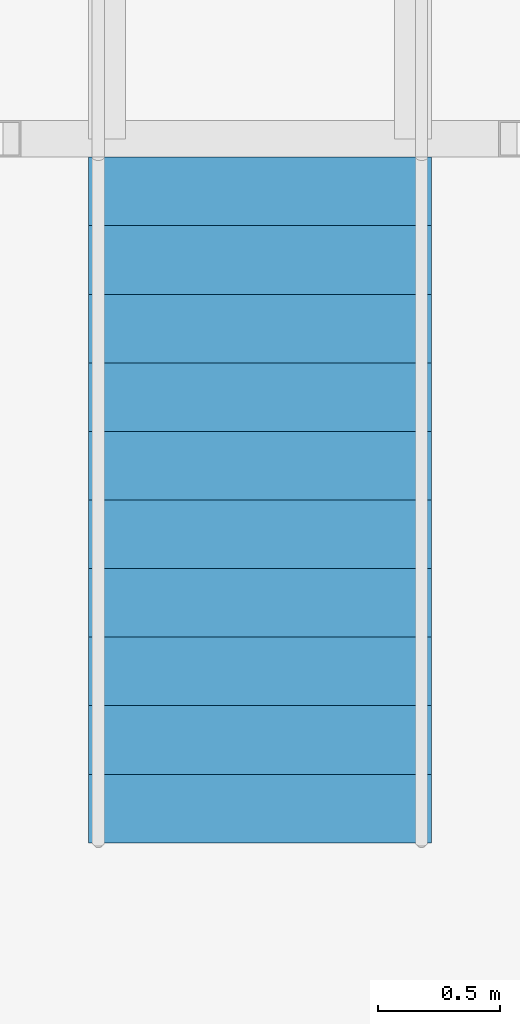
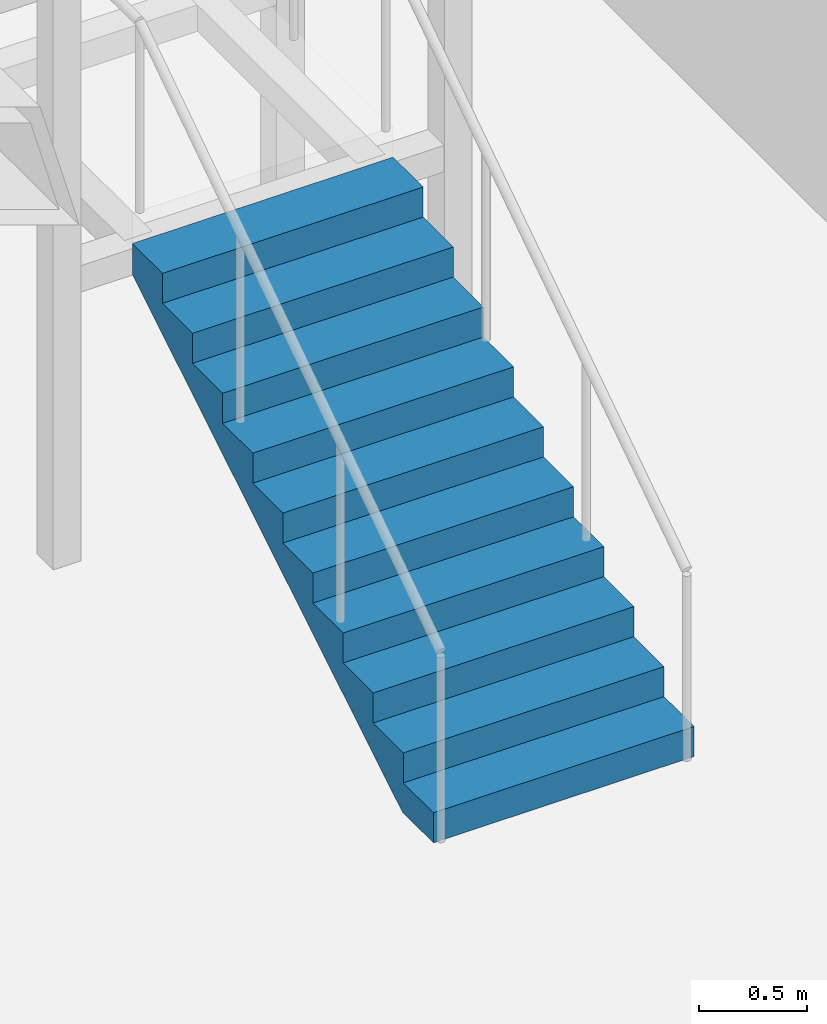
# One storey, part 24 of 26: 1 stair flight, 1 element without a shape of its own.
"""IFC4 building model written with IfcOpenShell, lengths in metres."""

from ifc_helpers import new_model, si_unit, direction, frame, origin, place, context, subcontext, project, spatial, triangles, material, type_object, element, aggregate, save


model = new_model("IFC4")

# Units and contexts
model_context = context("Model", 3, precision=1e-05, world=origin(), true_north=direction((0.0, 1.0)))
body_context = subcontext(model_context, "Body", "Model", "MODEL_VIEW")
ifc_project = project(units=[si_unit("LENGTHUNIT", "METRE"), si_unit("AREAUNIT", "SQUARE_METRE"), si_unit("VOLUMEUNIT", "CUBIC_METRE"), si_unit("PLANEANGLEUNIT", "RADIAN"), si_unit("MASSUNIT", "GRAM", prefix="KILO")], contexts=[model_context])

# Site, building, storey
site_placement = place(None, origin())
site = spatial("IfcSite", under=ifc_project, at=site_placement, CompositionType="ELEMENT")
building_placement = place(site_placement, origin())
building = spatial("IfcBuilding", under=site, at=building_placement, Name="Orbita Commons", CompositionType="ELEMENT")
storey_placement = place(building_placement, frame((0.0, 0.0, 53.949951171875)))
storey = spatial("IfcBuildingStorey", under=building, at=storey_placement, Name="L13", CompositionType="ELEMENT", Elevation=53.949951171875)

# Stair, stair flight
ifc_material_1 = material(Name="Steel ASTM A992 stringers, precast concrete C40/50 terrazzo treads", Category="concrete")
stair_type = type_object("IfcStairType", Name="Feature stair 22 risers 170 x 280 x 1400", PredefinedType="STRAIGHT_RUN_STAIR", material=ifc_material_1)
stair_placement = place(storey_placement, origin())
stair = element("IfcStair", 1, at=stair_placement, inside=storey, type_object=stair_type, Name="Neighbourhood stair L13 to L14", PredefinedType="STRAIGHT_RUN_STAIR")
ifc_material_2 = material(Name="Steel ASTM A992 stringers, precast concrete C40/50 terrazzo treads", Category="concrete")
stair_flight_type = type_object("IfcStairFlightType", Name="Feature stair flight 11 risers 170 x 1400", PredefinedType="STRAIGHT", material=ifc_material_2)
stair_flight_placement = place(storey_placement, frame((8.10009765625, 43.5, 0.0), z_axis=(0.0, 0.0, 1.0), x_axis=(0.0, 1.0, 0.0)))
stair_flight = element("IfcStairFlight", 2, at=stair_flight_placement, type_object=stair_flight_type, Name="FS flight 1", NumberOfRisers=11, NumberOfTreads=10, PredefinedType="STRAIGHT", RiserHeight=0.170454545, TreadLength=0.28, context=body_context, shape_type="Tessellation", body=[
    triangles([(0.0, 0.699951, 0.0), (0.0, 0.699951, 0.021307), (0.0, 0.583293, 0.021307), (0.0, 0.583293, 0.0), (0.0, 0.466634, 0.021307), (0.0, 0.466634, 0.0), (0.0, 0.349976, 0.021307), (0.0, 0.349976, 0.0), (0.0, 0.233317, 0.021307), (0.0, 0.233317, 0.0), (0.0, 0.116659, 0.021307), (0.0, 0.116659, 0.0), (0.0, 0.0, 0.021307), (0.0, 0.0, 0.0), (0.0, -0.116659, 0.021307), (0.0, -0.116659, 0.0), (0.0, -0.233317, 0.021307), (0.0, -0.233317, 0.0), (0.0, -0.349976, 0.021307), (0.0, -0.349976, 0.0), (0.0, -0.466634, 0.021307), (0.0, -0.466634, 0.0), (0.0, -0.583293, 0.021307), (0.0, -0.583293, 0.0), (0.0, -0.699951, 0.021307), (0.0, -0.699951, 0.0), (0.0, 0.699951, 0.042614), (0.0, 0.583293, 0.042614), (0.0, 0.466634, 0.042614), (0.0, 0.349976, 0.042614), (0.0, 0.233317, 0.042614), (0.0, 0.116659, 0.042614), (0.0, 0.0, 0.042614), (0.0, -0.116659, 0.042614), (0.0, -0.233317, 0.042614), (0.0, -0.349976, 0.042614), (0.0, -0.466634, 0.042614), (0.0, -0.583293, 0.042614), (0.0, -0.699951, 0.042614), (0.0, 0.699951, 0.06392), (0.0, 0.583293, 0.06392), (0.0, 0.466634, 0.06392), (0.0, 0.349976, 0.06392), (0.0, 0.233317, 0.06392), (0.0, 0.116659, 0.06392), (0.0, 0.0, 0.06392), (0.0, -0.116659, 0.06392), (0.0, -0.233317, 0.06392), (0.0, -0.349976, 0.06392), (0.0, -0.466634, 0.06392), (0.0, -0.583293, 0.06392), (0.0, -0.699951, 0.06392), (0.0, 0.699951, 0.085227), (0.0, 0.583293, 0.085227), (0.0, 0.466634, 0.085227), (0.0, 0.349976, 0.085227), (0.0, 0.233317, 0.085227), (0.0, 0.116659, 0.085227), (0.0, 0.0, 0.085227), (0.0, -0.116659, 0.085227), (0.0, -0.233317, 0.085227), (0.0, -0.349976, 0.085227), (0.0, -0.466634, 0.085227), (0.0, -0.583293, 0.085227), (0.0, -0.699951, 0.085227), (0.0, 0.699951, 0.106534), (0.0, 0.583293, 0.106534), (0.0, 0.466634, 0.106534), (0.0, 0.349976, 0.106534), (0.0, 0.233317, 0.106534), (0.0, 0.116659, 0.106534), (0.0, 0.0, 0.106534), (0.0, -0.116659, 0.106534), (0.0, -0.233317, 0.106534), (0.0, -0.349976, 0.106534), (0.0, -0.466634, 0.106534), (0.0, -0.583293, 0.106534), (0.0, -0.699951, 0.106534), (0.0, 0.699951, 0.127841), (0.0, 0.583293, 0.127841), (0.0, 0.466634, 0.127841), (0.0, 0.349976, 0.127841), (0.0, 0.233317, 0.127841), (0.0, 0.116659, 0.127841), (0.0, 0.0, 0.127841), (0.0, -0.116659, 0.127841), (0.0, -0.233317, 0.127841), (0.0, -0.349976, 0.127841), (0.0, -0.466634, 0.127841), (0.0, -0.583293, 0.127841), (0.0, -0.699951, 0.127841), (0.0, 0.699951, 0.149148), (0.0, 0.583293, 0.149148), (0.0, 0.466634, 0.149148), (0.0, 0.349976, 0.149148), (0.0, 0.233317, 0.149148), (0.0, 0.116659, 0.149148), (0.0, 0.0, 0.149148), (0.0, -0.116659, 0.149148), (0.0, -0.233317, 0.149148), (0.0, -0.349976, 0.149148), (0.0, -0.466634, 0.149148), (0.0, -0.583293, 0.149148), (0.0, -0.699951, 0.149148), (0.0, 0.699951, 0.170455), (0.0, 0.583293, 0.170455), (0.0, 0.466634, 0.170455), (0.0, 0.349976, 0.170455), (0.0, 0.233317, 0.170455), (0.0, 0.116659, 0.170455), (0.0, 0.0, 0.170455), (0.0, -0.116659, 0.170455), (0.0, -0.233317, 0.170455), (0.0, -0.349976, 0.170455), (0.0, -0.466634, 0.170455), (0.0, -0.583293, 0.170455), (0.0, -0.699951, 0.170455), (0.28, 0.699951, 0.170455), (0.28, 0.583293, 0.170455), (0.28, 0.466634, 0.170455), (0.28, 0.349976, 0.170455), (0.28, 0.233317, 0.170455), (0.28, 0.116659, 0.170455), (0.28, 0.0, 0.170455), (0.28, -0.116659, 0.170455), (0.28, -0.233317, 0.170455), (0.28, -0.349976, 0.170455), (0.28, -0.466634, 0.170455), (0.28, -0.583293, 0.170455), (0.28, -0.699951, 0.170455), (0.28, 0.699951, 0.340909), (0.28, 0.583293, 0.340909), (0.28, 0.466634, 0.340909), (0.28, 0.349976, 0.340909), (0.28, 0.233317, 0.340909), (0.28, 0.116659, 0.340909), (0.28, 0.0, 0.340909), (0.28, -0.116659, 0.340909), (0.28, -0.233317, 0.340909), (0.28, -0.349976, 0.340909), (0.28, -0.466634, 0.340909), (0.28, -0.583293, 0.340909), (0.28, -0.699951, 0.340909), (0.56, 0.699951, 0.340909), (0.56, 0.583293, 0.340909), (0.56, 0.466634, 0.340909), (0.56, 0.349976, 0.340909), (0.56, 0.233317, 0.340909), (0.56, 0.116659, 0.340909), (0.56, 0.0, 0.340909), (0.56, -0.116659, 0.340909), (0.56, -0.233317, 0.340909), (0.56, -0.349976, 0.340909), (0.56, -0.466634, 0.340909), (0.56, -0.583293, 0.340909), (0.56, -0.699951, 0.340909), (0.56, 0.699951, 0.511364), (0.56, 0.583293, 0.511364), (0.56, 0.466634, 0.511364), (0.56, 0.349976, 0.511364), (0.56, 0.233317, 0.511364), (0.56, 0.116659, 0.511364), (0.56, 0.0, 0.511364), (0.56, -0.116659, 0.511364), (0.56, -0.233317, 0.511364), (0.56, -0.349976, 0.511364), (0.56, -0.466634, 0.511364), (0.56, -0.583293, 0.511364), (0.56, -0.699951, 0.511364), (0.84, 0.699951, 0.511364), (0.84, 0.583293, 0.511364), (0.84, 0.466634, 0.511364), (0.84, 0.349976, 0.511364), (0.84, 0.233317, 0.511364), (0.84, 0.116659, 0.511364), (0.84, 0.0, 0.511364), (0.84, -0.116659, 0.511364), (0.84, -0.233317, 0.511364), (0.84, -0.349976, 0.511364), (0.84, -0.466634, 0.511364), (0.84, -0.583293, 0.511364), (0.84, -0.699951, 0.511364), (0.84, 0.699951, 0.681818), (0.84, 0.583293, 0.681818), (0.84, 0.466634, 0.681818), (0.84, 0.349976, 0.681818), (0.84, 0.233317, 0.681818), (0.84, 0.116659, 0.681818), (0.84, 0.0, 0.681818), (0.84, -0.116659, 0.681818), (0.84, -0.233317, 0.681818), (0.84, -0.349976, 0.681818), (0.84, -0.466634, 0.681818), (0.84, -0.583293, 0.681818), (0.84, -0.699951, 0.681818), (1.12, 0.699951, 0.681818), (1.12, 0.583293, 0.681818), (1.12, 0.466634, 0.681818), (1.12, 0.349976, 0.681818), (1.12, 0.233317, 0.681818), (1.12, 0.116659, 0.681818), (1.12, 0.0, 0.681818), (1.12, -0.116659, 0.681818), (1.12, -0.233317, 0.681818), (1.12, -0.349976, 0.681818), (1.12, -0.466634, 0.681818), (1.12, -0.583293, 0.681818), (1.12, -0.699951, 0.681818), (1.12, 0.699951, 0.852273), (1.12, 0.583293, 0.852273), (1.12, 0.466634, 0.852273), (1.12, 0.349976, 0.852273), (1.12, 0.233317, 0.852273), (1.12, 0.116659, 0.852273), (1.12, 0.0, 0.852273), (1.12, -0.116659, 0.852273), (1.12, -0.233317, 0.852273), (1.12, -0.349976, 0.852273), (1.12, -0.466634, 0.852273), (1.12, -0.583293, 0.852273), (1.12, -0.699951, 0.852273), (1.4, 0.699951, 0.852273), (1.4, 0.583293, 0.852273), (1.4, 0.466634, 0.852273), (1.4, 0.349976, 0.852273), (1.4, 0.233317, 0.852273), (1.4, 0.116659, 0.852273), (1.4, 0.0, 0.852273), (1.4, -0.116659, 0.852273), (1.4, -0.233317, 0.852273), (1.4, -0.349976, 0.852273), (1.4, -0.466634, 0.852273), (1.4, -0.583293, 0.852273), (1.4, -0.699951, 0.852273), (1.4, 0.699951, 1.022727), (1.4, 0.583293, 1.022727), (1.4, 0.466634, 1.022727), (1.4, 0.349976, 1.022727), (1.4, 0.233317, 1.022727), (1.4, 0.116659, 1.022727), (1.4, 0.0, 1.022727), (1.4, -0.116659, 1.022727), (1.4, -0.233317, 1.022727), (1.4, -0.349976, 1.022727), (1.4, -0.466634, 1.022727), (1.4, -0.583293, 1.022727), (1.4, -0.699951, 1.022727), (1.68, 0.699951, 1.022727), (1.68, 0.583293, 1.022727), (1.68, 0.466634, 1.022727), (1.68, 0.349976, 1.022727), (1.68, 0.233317, 1.022727), (1.68, 0.116659, 1.022727), (1.68, 0.0, 1.022727), (1.68, -0.116659, 1.022727), (1.68, -0.233317, 1.022727), (1.68, -0.349976, 1.022727), (1.68, -0.466634, 1.022727), (1.68, -0.583293, 1.022727), (1.68, -0.699951, 1.022727), (1.68, 0.699951, 1.193182), (1.68, 0.583293, 1.193182), (1.68, 0.466634, 1.193182), (1.68, 0.349976, 1.193182), (1.68, 0.233317, 1.193182), (1.68, 0.116659, 1.193182), (1.68, 0.0, 1.193182), (1.68, -0.116659, 1.193182), (1.68, -0.233317, 1.193182), (1.68, -0.349976, 1.193182), (1.68, -0.466634, 1.193182), (1.68, -0.583293, 1.193182), (1.68, -0.699951, 1.193182), (1.96, 0.699951, 1.193182), (1.96, 0.583293, 1.193182), (1.96, 0.466634, 1.193182), (1.96, 0.349976, 1.193182), (1.96, 0.233317, 1.193182), (1.96, 0.116659, 1.193182), (1.96, 0.0, 1.193182), (1.96, -0.116659, 1.193182), (1.96, -0.233317, 1.193182), (1.96, -0.349976, 1.193182), (1.96, -0.466634, 1.193182), (1.96, -0.583293, 1.193182), (1.96, -0.699951, 1.193182), (1.96, 0.699951, 1.363636), (1.96, 0.583293, 1.363636), (1.96, 0.466634, 1.363636), (1.96, 0.349976, 1.363636), (1.96, 0.233317, 1.363636), (1.96, 0.116659, 1.363636), (1.96, 0.0, 1.363636), (1.96, -0.116659, 1.363636), (1.96, -0.233317, 1.363636), (1.96, -0.349976, 1.363636), (1.96, -0.466634, 1.363636), (1.96, -0.583293, 1.363636), (1.96, -0.699951, 1.363636), (2.24, 0.699951, 1.363636), (2.24, 0.583293, 1.363636), (2.24, 0.466634, 1.363636), (2.24, 0.349976, 1.363636), (2.24, 0.233317, 1.363636), (2.24, 0.116659, 1.363636), (2.24, 0.0, 1.363636), (2.24, -0.116659, 1.363636), (2.24, -0.233317, 1.363636), (2.24, -0.349976, 1.363636), (2.24, -0.466634, 1.363636), (2.24, -0.583293, 1.363636), (2.24, -0.699951, 1.363636), (2.24, 0.699951, 1.534091), (2.24, 0.583293, 1.534091), (2.24, 0.466634, 1.534091), (2.24, 0.349976, 1.534091), (2.24, 0.233317, 1.534091), (2.24, 0.116659, 1.534091), (2.24, 0.0, 1.534091), (2.24, -0.116659, 1.534091), (2.24, -0.233317, 1.534091), (2.24, -0.349976, 1.534091), (2.24, -0.466634, 1.534091), (2.24, -0.583293, 1.534091), (2.24, -0.699951, 1.534091), (2.52, 0.699951, 1.534091), (2.52, 0.583293, 1.534091), (2.52, 0.466634, 1.534091), (2.52, 0.349976, 1.534091), (2.52, 0.233317, 1.534091), (2.52, 0.116659, 1.534091), (2.52, 0.0, 1.534091), (2.52, -0.116659, 1.534091), (2.52, -0.233317, 1.534091), (2.52, -0.349976, 1.534091), (2.52, -0.466634, 1.534091), (2.52, -0.583293, 1.534091), (2.52, -0.699951, 1.534091), (2.52, 0.699951, 1.704545), (2.52, 0.583293, 1.704545), (2.52, 0.466634, 1.704545), (2.52, 0.349976, 1.704545), (2.52, 0.233317, 1.704545), (2.52, 0.116659, 1.704545), (2.52, 0.0, 1.704545), (2.52, -0.116659, 1.704545), (2.52, -0.233317, 1.704545), (2.52, -0.349976, 1.704545), (2.52, -0.466634, 1.704545), (2.52, -0.583293, 1.704545), (2.52, -0.699951, 1.704545), (2.8, 0.699951, 1.704545), (2.8, 0.583293, 1.704545), (2.8, 0.466634, 1.704545), (2.8, 0.349976, 1.704545), (2.8, 0.233317, 1.704545), (2.8, 0.116659, 1.704545), (2.8, 0.0, 1.704545), (2.8, -0.116659, 1.704545), (2.8, -0.233317, 1.704545), (2.8, -0.349976, 1.704545), (2.8, -0.466634, 1.704545), (2.8, -0.583293, 1.704545), (2.8, -0.699951, 1.704545), (2.8, 0.699951, 1.682609), (2.8, 0.583293, 1.682609), (2.8, 0.466634, 1.682609), (2.8, 0.349976, 1.682609), (2.8, 0.233317, 1.682609), (2.8, 0.116659, 1.682609), (2.8, 0.0, 1.682609), (2.8, -0.116659, 1.682609), (2.8, -0.233317, 1.682609), (2.8, -0.349976, 1.682609), (2.8, -0.466634, 1.682609), (2.8, -0.583293, 1.682609), (2.8, -0.699951, 1.682609), (2.8, 0.699951, 1.660672), (2.8, 0.583293, 1.660672), (2.8, 0.466634, 1.660672), (2.8, 0.349976, 1.660672), (2.8, 0.233317, 1.660672), (2.8, 0.116659, 1.660672), (2.8, 0.0, 1.660672), (2.8, -0.116659, 1.660672), (2.8, -0.233317, 1.660672), (2.8, -0.349976, 1.660672), (2.8, -0.466634, 1.660672), (2.8, -0.583293, 1.660672), (2.8, -0.699951, 1.660672), (2.8, 0.699951, 1.638735), (2.8, 0.583293, 1.638735), (2.8, 0.466634, 1.638735), (2.8, 0.349976, 1.638735), (2.8, 0.233317, 1.638735), (2.8, 0.116659, 1.638735), (2.8, 0.0, 1.638735), (2.8, -0.116659, 1.638735), (2.8, -0.233317, 1.638735), (2.8, -0.349976, 1.638735), (2.8, -0.466634, 1.638735), (2.8, -0.583293, 1.638735), (2.8, -0.699951, 1.638735), (2.8, 0.699951, 1.616798), (2.8, 0.583293, 1.616798), (2.8, 0.466634, 1.616798), (2.8, 0.349976, 1.616798), (2.8, 0.233317, 1.616798), (2.8, 0.116659, 1.616798), (2.8, 0.0, 1.616798), (2.8, -0.116659, 1.616798), (2.8, -0.233317, 1.616798), (2.8, -0.349976, 1.616798), (2.8, -0.466634, 1.616798), (2.8, -0.583293, 1.616798), (2.8, -0.699951, 1.616798), (2.8, 0.699951, 1.594861), (2.8, 0.583293, 1.594861), (2.8, 0.466634, 1.594861), (2.8, 0.349976, 1.594861), (2.8, 0.233317, 1.594861), (2.8, 0.116659, 1.594861), (2.8, 0.0, 1.594861), (2.8, -0.116659, 1.594861), (2.8, -0.233317, 1.594861), (2.8, -0.349976, 1.594861), (2.8, -0.466634, 1.594861), (2.8, -0.583293, 1.594861), (2.8, -0.699951, 1.594861), (2.8, 0.699951, 1.572925), (2.8, 0.583293, 1.572925), (2.8, 0.466634, 1.572925), (2.8, 0.349976, 1.572925), (2.8, 0.233317, 1.572925), (2.8, 0.116659, 1.572925), (2.8, 0.0, 1.572925), (2.8, -0.116659, 1.572925), (2.8, -0.233317, 1.572925), (2.8, -0.349976, 1.572925), (2.8, -0.466634, 1.572925), (2.8, -0.583293, 1.572925), (2.8, -0.699951, 1.572925), (2.8, 0.699951, 1.550988), (2.8, 0.583293, 1.550988), (2.8, 0.466634, 1.550988), (2.8, 0.349976, 1.550988), (2.8, 0.233317, 1.550988), (2.8, 0.116659, 1.550988), (2.8, 0.0, 1.550988), (2.8, -0.116659, 1.550988), (2.8, -0.233317, 1.550988), (2.8, -0.349976, 1.550988), (2.8, -0.466634, 1.550988), (2.8, -0.583293, 1.550988), (2.8, -0.699951, 1.550988), (2.8, 0.699951, 1.529051), (2.8, 0.583293, 1.529051), (2.8, 0.466634, 1.529051), (2.8, 0.349976, 1.529051), (2.8, 0.233317, 1.529051), (2.8, 0.116659, 1.529051), (2.8, 0.0, 1.529051), (2.8, -0.116659, 1.529051), (2.8, -0.233317, 1.529051), (2.8, -0.349976, 1.529051), (2.8, -0.466634, 1.529051), (2.8, -0.583293, 1.529051), (2.8, -0.699951, 1.529051), (0.288279, 0.699951, 0.0), (0.288279, 0.583293, 0.0), (0.288279, 0.466634, 0.0), (0.288279, 0.349976, 0.0), (0.288279, 0.233317, 0.0), (0.288279, 0.116659, 0.0), (0.288279, 0.0, 0.0), (0.288279, -0.116659, 0.0), (0.288279, -0.233317, 0.0), (0.288279, -0.349976, 0.0), (0.288279, -0.466634, 0.0), (0.288279, -0.583293, 0.0), (0.288279, -0.699951, 0.0)], [[3, 2, 1], [4, 3, 1], [5, 3, 4], [6, 5, 4], [7, 5, 6], [8, 7, 6], [9, 7, 8], [10, 9, 8], [11, 9, 10], [12, 11, 10], [13, 11, 12], [14, 13, 12], [15, 13, 14], [16, 15, 14], [17, 15, 16], [18, 17, 16], [19, 17, 18], [20, 19, 18], [21, 19, 20], [22, 21, 20], [23, 21, 22], [24, 23, 22], [25, 23, 24], [26, 25, 24], [28, 27, 2], [3, 28, 2], [29, 28, 3], [5, 29, 3], [30, 29, 5], [7, 30, 5], [31, 30, 7], [9, 31, 7], [32, 31, 9], [11, 32, 9], [33, 32, 11], [13, 33, 11], [34, 33, 13], [15, 34, 13], [35, 34, 15], [17, 35, 15], [36, 35, 17], [19, 36, 17], [37, 36, 19], [21, 37, 19], [38, 37, 21], [23, 38, 21], [39, 38, 23], [25, 39, 23], [41, 40, 27], [28, 41, 27], [42, 41, 28], [29, 42, 28], [43, 42, 29], [30, 43, 29], [44, 43, 30], [31, 44, 30], [45, 44, 31], [32, 45, 31], [46, 45, 32], [33, 46, 32], [47, 46, 33], [34, 47, 33], [48, 47, 34], [35, 48, 34], [49, 48, 35], [36, 49, 35], [50, 49, 36], [37, 50, 36], [51, 50, 37], [38, 51, 37], [52, 51, 38], [39, 52, 38], [54, 53, 40], [41, 54, 40], [55, 54, 41], [42, 55, 41], [56, 55, 42], [43, 56, 42], [57, 56, 43], [44, 57, 43], [58, 57, 44], [45, 58, 44], [59, 58, 45], [46, 59, 45], [60, 59, 46], [47, 60, 46], [61, 60, 47], [48, 61, 47], [62, 61, 48], [49, 62, 48], [63, 62, 49], [50, 63, 49], [64, 63, 50], [51, 64, 50], [65, 64, 51], [52, 65, 51], [67, 66, 53], [54, 67, 53], [68, 67, 54], [55, 68, 54], [69, 68, 55], [56, 69, 55], [70, 69, 56], [57, 70, 56], [71, 70, 57], [58, 71, 57], [72, 71, 58], [59, 72, 58], [73, 72, 59], [60, 73, 59], [74, 73, 60], [61, 74, 60], [75, 74, 61], [62, 75, 61], [76, 75, 62], [63, 76, 62], [77, 76, 63], [64, 77, 63], [78, 77, 64], [65, 78, 64], [80, 79, 66], [67, 80, 66], [81, 80, 67], [68, 81, 67], [82, 81, 68], [69, 82, 68], [83, 82, 69], [70, 83, 69], [84, 83, 70], [71, 84, 70], [85, 84, 71], [72, 85, 71], [86, 85, 72], [73, 86, 72], [87, 86, 73], [74, 87, 73], [88, 87, 74], [75, 88, 74], [89, 88, 75], [76, 89, 75], [90, 89, 76], [77, 90, 76], [91, 90, 77], [78, 91, 77], [93, 92, 79], [80, 93, 79], [94, 93, 80], [81, 94, 80], [95, 94, 81], [82, 95, 81], [96, 95, 82], [83, 96, 82], [97, 96, 83], [84, 97, 83], [98, 97, 84], [85, 98, 84], [99, 98, 85], [86, 99, 85], [100, 99, 86], [87, 100, 86], [101, 100, 87], [88, 101, 87], [102, 101, 88], [89, 102, 88], [103, 102, 89], [90, 103, 89], [104, 103, 90], [91, 104, 90], [106, 105, 92], [93, 106, 92], [107, 106, 93], [94, 107, 93], [108, 107, 94], [95, 108, 94], [109, 108, 95], [96, 109, 95], [110, 109, 96], [97, 110, 96], [111, 110, 97], [98, 111, 97], [112, 111, 98], [99, 112, 98], [113, 112, 99], [100, 113, 99], [114, 113, 100], [101, 114, 100], [115, 114, 101], [102, 115, 101], [116, 115, 102], [103, 116, 102], [117, 116, 103], [104, 117, 103], [119, 118, 105], [106, 119, 105], [120, 119, 106], [107, 120, 106], [121, 120, 107], [108, 121, 107], [122, 121, 108], [109, 122, 108], [123, 122, 109], [110, 123, 109], [124, 123, 110], [111, 124, 110], [125, 124, 111], [112, 125, 111], [126, 125, 112], [113, 126, 112], [127, 126, 113], [114, 127, 113], [128, 127, 114], [115, 128, 114], [129, 128, 115], [116, 129, 115], [130, 129, 116], [117, 130, 116], [132, 131, 118], [119, 132, 118], [133, 132, 119], [120, 133, 119], [134, 133, 120], [121, 134, 120], [135, 134, 121], [122, 135, 121], [136, 135, 122], [123, 136, 122], [137, 136, 123], [124, 137, 123], [138, 137, 124], [125, 138, 124], [139, 138, 125], [126, 139, 125], [140, 139, 126], [127, 140, 126], [141, 140, 127], [128, 141, 127], [142, 141, 128], [129, 142, 128], [143, 142, 129], [130, 143, 129], [145, 144, 131], [132, 145, 131], [146, 145, 132], [133, 146, 132], [147, 146, 133], [134, 147, 133], [148, 147, 134], [135, 148, 134], [149, 148, 135], [136, 149, 135], [150, 149, 136], [137, 150, 136], [151, 150, 137], [138, 151, 137], [152, 151, 138], [139, 152, 138], [153, 152, 139], [140, 153, 139], [154, 153, 140], [141, 154, 140], [155, 154, 141], [142, 155, 141], [156, 155, 142], [143, 156, 142], [158, 157, 144], [145, 158, 144], [159, 158, 145], [146, 159, 145], [160, 159, 146], [147, 160, 146], [161, 160, 147], [148, 161, 147], [162, 161, 148], [149, 162, 148], [163, 162, 149], [150, 163, 149], [164, 163, 150], [151, 164, 150], [165, 164, 151], [152, 165, 151], [166, 165, 152], [153, 166, 152], [167, 166, 153], [154, 167, 153], [168, 167, 154], [155, 168, 154], [169, 168, 155], [156, 169, 155], [171, 170, 157], [158, 171, 157], [172, 171, 158], [159, 172, 158], [173, 172, 159], [160, 173, 159], [174, 173, 160], [161, 174, 160], [175, 174, 161], [162, 175, 161], [176, 175, 162], [163, 176, 162], [177, 176, 163], [164, 177, 163], [178, 177, 164], [165, 178, 164], [179, 178, 165], [166, 179, 165], [180, 179, 166], [167, 180, 166], [181, 180, 167], [168, 181, 167], [182, 181, 168], [169, 182, 168], [184, 183, 170], [171, 184, 170], [185, 184, 171], [172, 185, 171], [186, 185, 172], [173, 186, 172], [187, 186, 173], [174, 187, 173], [188, 187, 174], [175, 188, 174], [189, 188, 175], [176, 189, 175], [190, 189, 176], [177, 190, 176], [191, 190, 177], [178, 191, 177], [192, 191, 178], [179, 192, 178], [193, 192, 179], [180, 193, 179], [194, 193, 180], [181, 194, 180], [195, 194, 181], [182, 195, 181], [197, 196, 183], [184, 197, 183], [198, 197, 184], [185, 198, 184], [199, 198, 185], [186, 199, 185], [200, 199, 186], [187, 200, 186], [201, 200, 187], [188, 201, 187], [202, 201, 188], [189, 202, 188], [203, 202, 189], [190, 203, 189], [204, 203, 190], [191, 204, 190], [205, 204, 191], [192, 205, 191], [206, 205, 192], [193, 206, 192], [207, 206, 193], [194, 207, 193], [208, 207, 194], [195, 208, 194], [210, 209, 196], [197, 210, 196], [211, 210, 197], [198, 211, 197], [212, 211, 198], [199, 212, 198], [213, 212, 199], [200, 213, 199], [214, 213, 200], [201, 214, 200], [215, 214, 201], [202, 215, 201], [216, 215, 202], [203, 216, 202], [217, 216, 203], [204, 217, 203], [218, 217, 204], [205, 218, 204], [219, 218, 205], [206, 219, 205], [220, 219, 206], [207, 220, 206], [221, 220, 207], [208, 221, 207], [223, 222, 209], [210, 223, 209], [224, 223, 210], [211, 224, 210], [225, 224, 211], [212, 225, 211], [226, 225, 212], [213, 226, 212], [227, 226, 213], [214, 227, 213], [228, 227, 214], [215, 228, 214], [229, 228, 215], [216, 229, 215], [230, 229, 216], [217, 230, 216], [231, 230, 217], [218, 231, 217], [232, 231, 218], [219, 232, 218], [233, 232, 219], [220, 233, 219], [234, 233, 220], [221, 234, 220], [236, 235, 222], [223, 236, 222], [237, 236, 223], [224, 237, 223], [238, 237, 224], [225, 238, 224], [239, 238, 225], [226, 239, 225], [240, 239, 226], [227, 240, 226], [241, 240, 227], [228, 241, 227], [242, 241, 228], [229, 242, 228], [243, 242, 229], [230, 243, 229], [244, 243, 230], [231, 244, 230], [245, 244, 231], [232, 245, 231], [246, 245, 232], [233, 246, 232], [247, 246, 233], [234, 247, 233], [249, 248, 235], [236, 249, 235], [250, 249, 236], [237, 250, 236], [251, 250, 237], [238, 251, 237], [252, 251, 238], [239, 252, 238], [253, 252, 239], [240, 253, 239], [254, 253, 240], [241, 254, 240], [255, 254, 241], [242, 255, 241], [256, 255, 242], [243, 256, 242], [257, 256, 243], [244, 257, 243], [258, 257, 244], [245, 258, 244], [259, 258, 245], [246, 259, 245], [260, 259, 246], [247, 260, 246], [262, 261, 248], [249, 262, 248], [263, 262, 249], [250, 263, 249], [264, 263, 250], [251, 264, 250], [265, 264, 251], [252, 265, 251], [266, 265, 252], [253, 266, 252], [267, 266, 253], [254, 267, 253], [268, 267, 254], [255, 268, 254], [269, 268, 255], [256, 269, 255], [270, 269, 256], [257, 270, 256], [271, 270, 257], [258, 271, 257], [272, 271, 258], [259, 272, 258], [273, 272, 259], [260, 273, 259], [275, 274, 261], [262, 275, 261], [276, 275, 262], [263, 276, 262], [277, 276, 263], [264, 277, 263], [278, 277, 264], [265, 278, 264], [279, 278, 265], [266, 279, 265], [280, 279, 266], [267, 280, 266], [281, 280, 267], [268, 281, 267], [282, 281, 268], [269, 282, 268], [283, 282, 269], [270, 283, 269], [284, 283, 270], [271, 284, 270], [285, 284, 271], [272, 285, 271], [286, 285, 272], [273, 286, 272], [288, 287, 274], [275, 288, 274], [289, 288, 275], [276, 289, 275], [290, 289, 276], [277, 290, 276], [291, 290, 277], [278, 291, 277], [292, 291, 278], [279, 292, 278], [293, 292, 279], [280, 293, 279], [294, 293, 280], [281, 294, 280], [295, 294, 281], [282, 295, 281], [296, 295, 282], [283, 296, 282], [297, 296, 283], [284, 297, 283], [298, 297, 284], [285, 298, 284], [299, 298, 285], [286, 299, 285], [301, 300, 287], [288, 301, 287], [302, 301, 288], [289, 302, 288], [303, 302, 289], [290, 303, 289], [304, 303, 290], [291, 304, 290], [305, 304, 291], [292, 305, 291], [306, 305, 292], [293, 306, 292], [307, 306, 293], [294, 307, 293], [308, 307, 294], [295, 308, 294], [309, 308, 295], [296, 309, 295], [310, 309, 296], [297, 310, 296], [311, 310, 297], [298, 311, 297], [312, 311, 298], [299, 312, 298], [314, 313, 300], [301, 314, 300], [315, 314, 301], [302, 315, 301], [316, 315, 302], [303, 316, 302], [317, 316, 303], [304, 317, 303], [318, 317, 304], [305, 318, 304], [319, 318, 305], [306, 319, 305], [320, 319, 306], [307, 320, 306], [321, 320, 307], [308, 321, 307], [322, 321, 308], [309, 322, 308], [323, 322, 309], [310, 323, 309], [324, 323, 310], [311, 324, 310], [325, 324, 311], [312, 325, 311], [327, 326, 313], [314, 327, 313], [328, 327, 314], [315, 328, 314], [329, 328, 315], [316, 329, 315], [330, 329, 316], [317, 330, 316], [331, 330, 317], [318, 331, 317], [332, 331, 318], [319, 332, 318], [333, 332, 319], [320, 333, 319], [334, 333, 320], [321, 334, 320], [335, 334, 321], [322, 335, 321], [336, 335, 322], [323, 336, 322], [337, 336, 323], [324, 337, 323], [338, 337, 324], [325, 338, 324], [340, 339, 326], [327, 340, 326], [341, 340, 327], [328, 341, 327], [342, 341, 328], [329, 342, 328], [343, 342, 329], [330, 343, 329], [344, 343, 330], [331, 344, 330], [345, 344, 331], [332, 345, 331], [346, 345, 332], [333, 346, 332], [347, 346, 333], [334, 347, 333], [348, 347, 334], [335, 348, 334], [349, 348, 335], [336, 349, 335], [350, 349, 336], [337, 350, 336], [351, 350, 337], [338, 351, 337], [353, 352, 339], [340, 353, 339], [354, 353, 340], [341, 354, 340], [355, 354, 341], [342, 355, 341], [356, 355, 342], [343, 356, 342], [357, 356, 343], [344, 357, 343], [358, 357, 344], [345, 358, 344], [359, 358, 345], [346, 359, 345], [360, 359, 346], [347, 360, 346], [361, 360, 347], [348, 361, 347], [362, 361, 348], [349, 362, 348], [363, 362, 349], [350, 363, 349], [364, 363, 350], [351, 364, 350], [366, 365, 352], [353, 366, 352], [367, 366, 353], [354, 367, 353], [368, 367, 354], [355, 368, 354], [369, 368, 355], [356, 369, 355], [370, 369, 356], [357, 370, 356], [371, 370, 357], [358, 371, 357], [372, 371, 358], [359, 372, 358], [373, 372, 359], [360, 373, 359], [374, 373, 360], [361, 374, 360], [375, 374, 361], [362, 375, 361], [376, 375, 362], [363, 376, 362], [377, 376, 363], [364, 377, 363], [379, 378, 365], [366, 379, 365], [380, 379, 366], [367, 380, 366], [381, 380, 367], [368, 381, 367], [382, 381, 368], [369, 382, 368], [383, 382, 369], [370, 383, 369], [384, 383, 370], [371, 384, 370], [385, 384, 371], [372, 385, 371], [386, 385, 372], [373, 386, 372], [387, 386, 373], [374, 387, 373], [388, 387, 374], [375, 388, 374], [389, 388, 375], [376, 389, 375], [390, 389, 376], [377, 390, 376], [392, 391, 378], [379, 392, 378], [393, 392, 379], [380, 393, 379], [394, 393, 380], [381, 394, 380], [395, 394, 381], [382, 395, 381], [396, 395, 382], [383, 396, 382], [397, 396, 383], [384, 397, 383], [398, 397, 384], [385, 398, 384], [399, 398, 385], [386, 399, 385], [400, 399, 386], [387, 400, 386], [401, 400, 387], [388, 401, 387], [402, 401, 388], [389, 402, 388], [403, 402, 389], [390, 403, 389], [405, 404, 391], [392, 405, 391], [406, 405, 392], [393, 406, 392], [407, 406, 393], [394, 407, 393], [408, 407, 394], [395, 408, 394], [409, 408, 395], [396, 409, 395], [410, 409, 396], [397, 410, 396], [411, 410, 397], [398, 411, 397], [412, 411, 398], [399, 412, 398], [413, 412, 399], [400, 413, 399], [414, 413, 400], [401, 414, 400], [415, 414, 401], [402, 415, 401], [416, 415, 402], [403, 416, 402], [418, 417, 404], [405, 418, 404], [419, 418, 405], [406, 419, 405], [420, 419, 406], [407, 420, 406], [421, 420, 407], [408, 421, 407], [422, 421, 408], [409, 422, 408], [423, 422, 409], [410, 423, 409], [424, 423, 410], [411, 424, 410], [425, 424, 411], [412, 425, 411], [426, 425, 412], [413, 426, 412], [427, 426, 413], [414, 427, 413], [428, 427, 414], [415, 428, 414], [429, 428, 415], [416, 429, 415], [431, 430, 417], [418, 431, 417], [432, 431, 418], [419, 432, 418], [433, 432, 419], [420, 433, 419], [434, 433, 420], [421, 434, 420], [435, 434, 421], [422, 435, 421], [436, 435, 422], [423, 436, 422], [437, 436, 423], [424, 437, 423], [438, 437, 424], [425, 438, 424], [439, 438, 425], [426, 439, 425], [440, 439, 426], [427, 440, 426], [441, 440, 427], [428, 441, 427], [442, 441, 428], [429, 442, 428], [444, 443, 430], [431, 444, 430], [445, 444, 431], [432, 445, 431], [446, 445, 432], [433, 446, 432], [447, 446, 433], [434, 447, 433], [448, 447, 434], [435, 448, 434], [449, 448, 435], [436, 449, 435], [450, 449, 436], [437, 450, 436], [451, 450, 437], [438, 451, 437], [452, 451, 438], [439, 452, 438], [453, 452, 439], [440, 453, 439], [454, 453, 440], [441, 454, 440], [455, 454, 441], [442, 455, 441], [457, 456, 443], [444, 457, 443], [458, 457, 444], [445, 458, 444], [459, 458, 445], [446, 459, 445], [460, 459, 446], [447, 460, 446], [461, 460, 447], [448, 461, 447], [462, 461, 448], [449, 462, 448], [463, 462, 449], [450, 463, 449], [464, 463, 450], [451, 464, 450], [465, 464, 451], [452, 465, 451], [466, 465, 452], [453, 466, 452], [467, 466, 453], [454, 467, 453], [468, 467, 454], [455, 468, 454], [470, 469, 456], [457, 470, 456], [471, 470, 457], [458, 471, 457], [472, 471, 458], [459, 472, 458], [473, 472, 459], [460, 473, 459], [474, 473, 460], [461, 474, 460], [475, 474, 461], [462, 475, 461], [476, 475, 462], [463, 476, 462], [477, 476, 463], [464, 477, 463], [478, 477, 464], [465, 478, 464], [479, 478, 465], [466, 479, 465], [480, 479, 466], [467, 480, 466], [481, 480, 467], [468, 481, 467], [4, 1, 469], [470, 4, 469], [6, 4, 470], [471, 6, 470], [8, 6, 471], [472, 8, 471], [10, 8, 472], [473, 10, 472], [12, 10, 473], [474, 12, 473], [14, 12, 474], [475, 14, 474], [16, 14, 475], [476, 16, 475], [18, 16, 476], [477, 18, 476], [20, 18, 477], [478, 20, 477], [22, 20, 478], [479, 22, 478], [24, 22, 479], [480, 24, 479], [26, 24, 480], [481, 26, 480], [456, 469, 1], [26, 481, 468], [443, 456, 1], [26, 468, 455], [430, 443, 1], [26, 455, 442], [417, 430, 1], [26, 442, 429], [404, 417, 1], [26, 429, 416], [391, 404, 1], [26, 416, 403], [378, 391, 1], [26, 403, 390], [365, 378, 1], [26, 390, 377], [339, 352, 365], [377, 364, 351], [326, 339, 365], [377, 351, 338], [300, 313, 326], [338, 325, 312], [300, 326, 365], [377, 338, 312], [274, 287, 300], [312, 299, 286], [274, 300, 365], [377, 312, 286], [248, 261, 274], [286, 273, 260], [248, 274, 365], [377, 286, 260], [222, 235, 248], [260, 247, 234], [222, 248, 365], [377, 260, 234], [196, 209, 222], [234, 221, 208], [196, 222, 365], [377, 234, 208], [170, 183, 196], [208, 195, 182], [170, 196, 365], [377, 208, 182], [144, 157, 170], [182, 169, 156], [144, 170, 365], [377, 182, 156], [118, 131, 144], [156, 143, 130], [118, 144, 365], [377, 156, 130], [118, 365, 1], [26, 377, 130], [92, 105, 118], [130, 117, 104], [79, 92, 118], [130, 104, 91], [66, 79, 118], [130, 91, 78], [53, 66, 118], [130, 78, 65], [40, 53, 118], [130, 65, 52], [27, 40, 118], [130, 52, 39], [2, 27, 118], [130, 39, 25], [1, 2, 118], [130, 25, 26]], closed=True),
])
aggregate(stair, [stair_flight])

save(model, "model.ifc")
